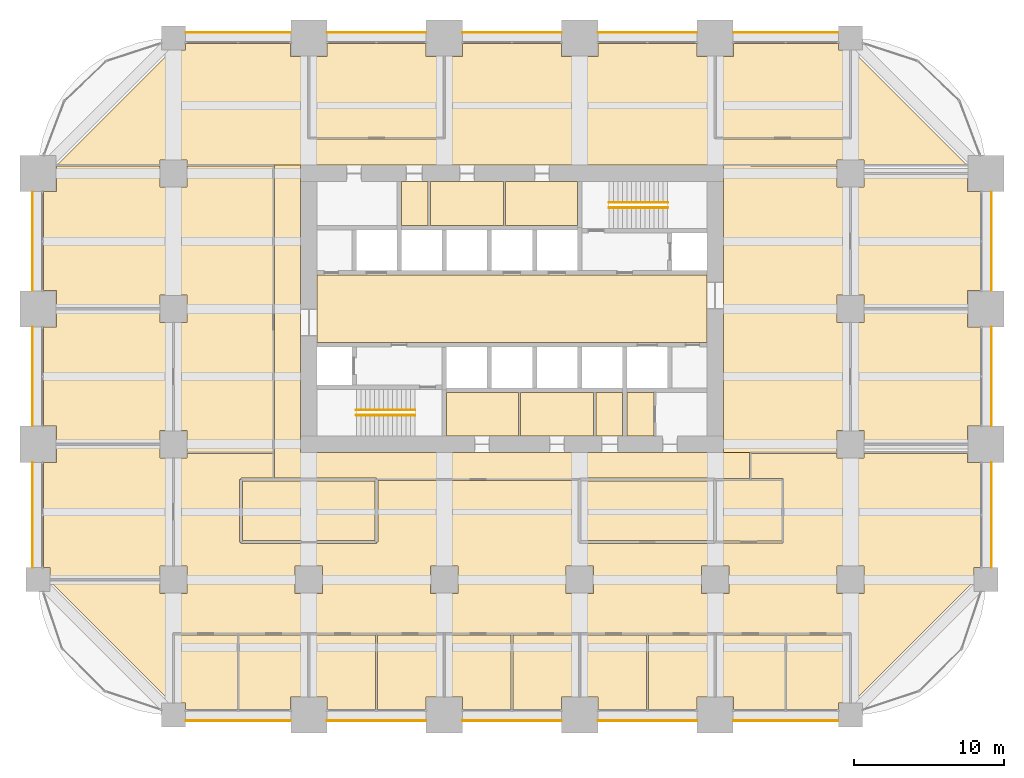
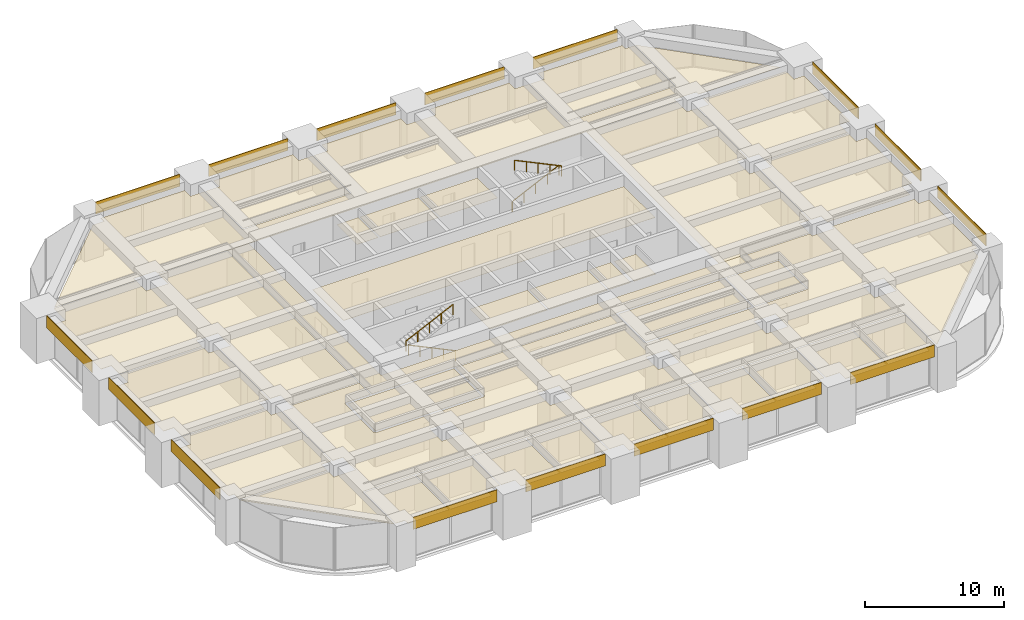
# One storey, part 40 of 40: 48 coverings, 4 railings.
"""IFC4 building model written with IfcOpenShell, lengths in metres."""

import ifcopenshell
import ifcopenshell.guid

model = None  # the IFC model being written
_history = None  # IfcOwnerHistory: only IFC2X3 demands one
_inside = {}  # id of a spatial element -> (the spatial element, [elements in it])
_under = {}  # id of a project, library or spatial element -> (it, [spatial elements below it])
_declared = {}  # id of a project -> (the project, [libraries it declares])
_typed = {}  # id of a type object -> (the type object, [elements of that type])
_made_of = {}  # id of a material, layer set ... -> (it, [elements and type objects made of it])


def new_model(schema):
    """Start an empty IFC model of exactly this schema.

    Asked for "IFC4X3", IfcOpenShell would pick the latest addendum, in which some entities
    have other attributes; the version numbers below select the first issue.
    IFC2X3 requires an IfcOwnerHistory on every rooted entity: one is made here for all.
    """
    global model, _history
    if schema == "IFC4X3":
        model = ifcopenshell.file(schema_version=(4, 3, 0, 0))
    else:
        model = ifcopenshell.file(schema=schema)
    _inside.clear()
    _under.clear()
    _declared.clear()
    _typed.clear()
    _made_of.clear()
    _history = None
    if model.schema == "IFC2X3":
        org = make("IfcOrganization", Name="unknown")
        user = make(
            "IfcPersonAndOrganization",
            ThePerson=make("IfcPerson", FamilyName="unknown"),
            TheOrganization=org,
        )
        app = make(
            "IfcApplication",
            ApplicationDeveloper=org,
            Version="unknown",
            ApplicationFullName="unknown",
            ApplicationIdentifier="unknown",
        )
        _history = make(
            "IfcOwnerHistory",
            OwningUser=user,
            OwningApplication=app,
            ChangeAction="ADDED",
            CreationDate=0,
        )
    return model


def make(cls, **values):
    """One entity of the class cls with the attributes given. An attribute that is None is left unset."""
    return model.create_entity(
        cls, **{name: value for name, value in values.items() if value is not None}
    )


def rooted(cls, **values):
    """An entity with a GlobalId (a new one), such as an element, a storey or a relation."""
    return make(cls, GlobalId=ifcopenshell.guid.new(), OwnerHistory=_history, **values)


def si_unit(unit_type, name, prefix=None):
    """IfcSIUnit, for example si_unit("LENGTHUNIT", "METRE", prefix="MILLI")."""
    return make("IfcSIUnit", UnitType=unit_type, Prefix=prefix, Name=name)


def assignment(units):
    """IfcUnitAssignment: the units of a project."""
    return None if units is None else make("IfcUnitAssignment", Units=units)


def point(xyz):
    """IfcCartesianPoint."""
    return None if xyz is None else make("IfcCartesianPoint", Coordinates=xyz)


def direction(xyz):
    """IfcDirection."""
    return None if xyz is None else make("IfcDirection", DirectionRatios=xyz)


def frame(location, z_axis=None, x_axis=None):
    """IfcAxis2Placement3D, a coordinate frame: its origin and axes. An axis left out is left unset."""
    return make(
        "IfcAxis2Placement3D",
        Location=point(location),
        Axis=direction(z_axis),
        RefDirection=direction(x_axis),
    )


def frame_2d(location, x_axis=None):
    """IfcAxis2Placement2D, a coordinate frame in the plane: its origin and x axis."""
    return make(
        "IfcAxis2Placement2D", Location=point(location), RefDirection=direction(x_axis)
    )


def origin():
    """The frame at (0, 0, 0) with its axes left unset."""
    return frame((0.0, 0.0, 0.0))


def origin_2d():
    """The frame at (0, 0) in the plane with its x axis left unset."""
    return frame_2d((0.0, 0.0))


def place(relative_to, where):
    """IfcLocalPlacement: puts the frame where relative to a parent placement (None: the world)."""
    return make(
        "IfcLocalPlacement", PlacementRelTo=relative_to, RelativePlacement=where
    )


def context(
    kind, dimensions, precision=None, world=None, true_north=None, identifier=None
):
    """IfcGeometricRepresentationContext, for example the 3D "Model" context."""
    return make(
        "IfcGeometricRepresentationContext",
        ContextIdentifier=identifier,
        ContextType=kind,
        CoordinateSpaceDimension=dimensions,
        Precision=precision,
        WorldCoordinateSystem=world,
        TrueNorth=true_north,
    )


def subcontext(parent, identifier, kind, view, scale=None):
    """IfcGeometricRepresentationSubContext, for example "Body" below "Model"."""
    return make(
        "IfcGeometricRepresentationSubContext",
        ContextIdentifier=identifier,
        ContextType=kind,
        ParentContext=parent,
        TargetScale=scale,
        TargetView=view,
    )


def project(units=None, contexts=None):
    """IfcProject with its units and contexts."""
    return rooted(
        "IfcProject",
        Name="project",
        RepresentationContexts=contexts,
        UnitsInContext=assignment(units),
    )


def spatial(cls, under=None, at=None, **own):
    """A site, building, storey or space (cls), placed at a placement, below another one or the project."""
    s = rooted(cls, ObjectPlacement=at, **own)
    if under is not None:
        _under.setdefault(under.id(), (under, []))[1].append(s)
    return s


def polyline(points):
    """IfcPolyline through the points."""
    return make("IfcPolyline", Points=[point(p) for p in points])


def profile(cls, at=None, kind="AREA", **sizes):
    """A parametric profile (cls). Its sizes go by their IFC names, for example OverallWidth=200.0."""
    return make(cls, ProfileType=kind, Position=at, **sizes)


def rectangle(**sizes):
    """IfcRectangleProfileDef."""
    return profile("IfcRectangleProfileDef", **sizes)


def circle(**sizes):
    """IfcCircleProfileDef."""
    return profile("IfcCircleProfileDef", **sizes)


def outline(outer, holes=None, kind="AREA"):
    """IfcArbitraryClosedProfileDef: a profile drawn as a closed curve; with holes, ...WithVoids."""
    if holes is None:
        return make("IfcArbitraryClosedProfileDef", ProfileType=kind, OuterCurve=outer)
    return make(
        "IfcArbitraryProfileDefWithVoids",
        ProfileType=kind,
        OuterCurve=outer,
        InnerCurves=holes,
    )


def extrude(swept, where, along, depth):
    """IfcExtrudedAreaSolid: the profile swept, set in the frame where, extruded along a direction by depth."""
    return make(
        "IfcExtrudedAreaSolid",
        SweptArea=swept,
        Position=where,
        ExtrudedDirection=direction(along),
        Depth=depth,
    )


def shape(context_of_items, identifier, shape_type, items):
    """IfcShapeRepresentation: the items that make up one representation, for example the "Body"."""
    return make(
        "IfcShapeRepresentation",
        ContextOfItems=context_of_items,
        RepresentationIdentifier=identifier,
        RepresentationType=shape_type,
        Items=items,
    )


def material(Name=None, Category=None):
    """IfcMaterial."""
    return make("IfcMaterial", Name=Name, Category=Category)


def layer(
    of_material, thickness, ventilated=None, Name=None, Category=None, Priority=None
):
    """IfcMaterialLayer: one layer of a wall or slab, of a material (None: an air gap)."""
    return make(
        "IfcMaterialLayer",
        Material=of_material,
        LayerThickness=thickness,
        IsVentilated=ventilated,
        Name=Name,
        Category=Category,
        Priority=Priority,
    )


def layer_set(layers, Name=None):
    """IfcMaterialLayerSet."""
    return make("IfcMaterialLayerSet", MaterialLayers=layers, LayerSetName=Name)


def made_of(thing, what):
    """Note that an element or type object is made of a material, layer set ...; save() writes the relation."""
    if what is not None:
        _made_of.setdefault(what.id(), (what, []))[1].append(thing)
    return thing


def type_object(cls, material=None, **own):
    """A type object (cls), such as IfcWallType, which elements share."""
    return made_of(rooted(cls, **own), material)


def element(
    cls,
    number,
    at=None,
    inside=None,
    cuts=None,
    type_object=None,
    material=None,
    context=None,
    identifier="Body",
    shape_type=None,
    held_by="IfcProductDefinitionShape",
    body=None,
    shapes=None,
    **own,
):
    """One element of the class cls, such as IfcWall. Its Tag is "e" and its number.

    at: its placement. inside: the storey or other place that contains it. cuts: it is an
    opening in that element (IfcRelVoidsElement). A single representation is given by context,
    identifier, shape_type and body (its items); several are given by shapes. held_by: the class
    of the entity that holds the representations. save() writes the other relations.
    """
    e = rooted(cls, Tag="e%d" % number, ObjectPlacement=at, **own)
    if body is not None:
        shapes = [shape(context, identifier, shape_type, body)]
    if shapes is not None:
        e.Representation = make(held_by, Representations=shapes)
    if inside is not None:
        _inside.setdefault(inside.id(), (inside, []))[1].append(e)
    if cuts is not None:
        rooted(
            "IfcRelVoidsElement", RelatingBuildingElement=cuts, RelatedOpeningElement=e
        )
    if type_object is not None:
        _typed.setdefault(type_object.id(), (type_object, []))[1].append(e)
    return made_of(e, material)


def aggregate(whole, parts):
    """IfcRelAggregates: a whole, such as a stair, and the parts it consists of."""
    return rooted("IfcRelAggregates", RelatingObject=whole, RelatedObjects=parts)


def save(model, path):
    """Write the relations noted so far, then the file.

    IfcRelAggregates (storeys below a building ...), IfcRelContainedInSpatialStructure (elements
    in a storey), IfcRelDefinesByType, IfcRelAssociatesMaterial and IfcRelDeclares: one each for
    every whole, place, type object, material and project.
    """
    for whole, parts in _under.values():
        aggregate(whole, parts)
    for where, things in _inside.values():
        rooted(
            "IfcRelContainedInSpatialStructure",
            RelatedElements=things,
            RelatingStructure=where,
        )
    for kind, things in _typed.values():
        rooted("IfcRelDefinesByType", RelatedObjects=things, RelatingType=kind)
    for what, things in _made_of.values():
        rooted("IfcRelAssociatesMaterial", RelatedObjects=things, RelatingMaterial=what)
    for by, libraries in _declared.values():
        rooted("IfcRelDeclares", RelatingContext=by, RelatedDefinitions=libraries)
    model.write(path)


model = new_model("IFC4")

# Units and contexts
model_context = context("Model", 3, precision=1e-05, world=origin(), true_north=direction((0.0, 1.0)))
body_context = subcontext(model_context, "Body", "Model", "MODEL_VIEW")
ifc_project = project(units=[si_unit("LENGTHUNIT", "METRE"), si_unit("AREAUNIT", "SQUARE_METRE"), si_unit("VOLUMEUNIT", "CUBIC_METRE"), si_unit("PLANEANGLEUNIT", "RADIAN"), si_unit("MASSUNIT", "GRAM", prefix="KILO")], contexts=[model_context])

# Site, building, storey
site_placement = place(None, origin())
site = spatial("IfcSite", under=ifc_project, at=site_placement, CompositionType="ELEMENT")
building_placement = place(site_placement, origin())
building = spatial("IfcBuilding", under=site, at=building_placement, Name="Zorevar Civic Tower", CompositionType="ELEMENT")
storey_placement = place(building_placement, frame((0.0, 0.0, 129.0)))
storey = spatial("IfcBuildingStorey", under=building, at=storey_placement, Name="L31", CompositionType="ELEMENT", Elevation=129.0)

# Railings
ifc_material_1 = material(Name="Black steel handrail", Category="steel")
railing_type = type_object("IfcRailingType", Name="Handrail HR1 900", PredefinedType="HANDRAIL", material=ifc_material_1)
railing_1_placement = place(storey_placement, frame((25.050048828125, 19.925048828125, 0.142822265625)))
element("IfcRailing", 1, at=railing_1_placement, inside=storey, type_object=railing_type, Name="Handrail HR1 ST1 L31", PredefinedType="HANDRAIL", context=body_context, shape_type="SweptSolid", body=[
    extrude(circle(Radius=0.02392578125, at=origin_2d()), frame((0.0, 0.0, 0.8759765625), z_axis=(-0.902863652845, 0.0, 0.429926998885), x_axis=(0.0, -1.0, 0.0)), (0.0, 0.0, 1.0), 4.31982421875),
    extrude(circle(Radius=0.02099609375, at=origin_2d()), origin(), (0.0, 0.0, 1.0), 0.851806640625),
    extrude(circle(Radius=0.02099609375, at=origin_2d()), frame((-0.97509765625, 0.0, 0.46435546875)), (0.0, 0.0, 1.0), 0.851806640625),
    extrude(circle(Radius=0.02099609375, at=origin_2d()), frame((-1.9501953125, 0.0, 0.9287109375)), (0.0, 0.0, 1.0), 0.851806640625),
    extrude(circle(Radius=0.02099609375, at=origin_2d()), frame((-2.925048828125, 0.0, 1.392822265625)), (0.0, 0.0, 1.0), 0.851806640625),
    extrude(circle(Radius=0.02099609375, at=origin_2d()), frame((-3.900146484375, 0.0, 1.857177734375)), (0.0, 0.0, 1.0), 0.851806640625),
])
for number, where, name in (
    (2, (21.14990234375, 20.27490234375, 2.142822265625), "Handrail HR1 ST1 L31"),
    (3, (37.949951171875, 34.074951171875, 0.142822265625), "Handrail HR1 ST2 L31"),
):
    element("IfcRailing", number, at=place(storey_placement, frame(where)), inside=storey, type_object=railing_type, Name=name, PredefinedType="HANDRAIL", context=body_context, shape_type="SweptSolid", body=[
        extrude(circle(Radius=0.02392578125, at=origin_2d()), frame((0.0, 0.0, 0.8759765625), z_axis=(0.902863652845, 0.0, 0.429926998885), x_axis=(0.0, 1.0, 0.0)), (0.0, 0.0, 1.0), 4.31982421875),
        extrude(circle(Radius=0.02099609375, at=origin_2d()), origin(), (0.0, 0.0, 1.0), 0.851806640625),
        extrude(circle(Radius=0.02099609375, at=origin_2d()), frame((0.97509765625, 0.0, 0.46435546875)), (0.0, 0.0, 1.0), 0.851806640625),
        extrude(circle(Radius=0.02099609375, at=origin_2d()), frame((1.9501953125, 0.0, 0.9287109375)), (0.0, 0.0, 1.0), 0.851806640625),
        extrude(circle(Radius=0.02099609375, at=origin_2d()), frame((2.925048828125, 0.0, 1.392822265625)), (0.0, 0.0, 1.0), 0.851806640625),
        extrude(circle(Radius=0.02099609375, at=origin_2d()), frame((3.900146484375, 0.0, 1.857177734375)), (0.0, 0.0, 1.0), 0.851806640625),
    ])
railing_2_placement = place(storey_placement, frame((41.85009765625, 33.72509765625, 2.142822265625)))
element("IfcRailing", 4, at=railing_2_placement, inside=storey, type_object=railing_type, Name="Handrail HR1 ST2 L31", PredefinedType="HANDRAIL", context=body_context, shape_type="SweptSolid", body=[
    extrude(circle(Radius=0.02392578125, at=origin_2d()), frame((0.0, 0.0, 0.8759765625), z_axis=(-0.902863652845, 0.0, 0.429926998885), x_axis=(0.0, -1.0, 0.0)), (0.0, 0.0, 1.0), 4.31982421875),
    extrude(circle(Radius=0.02099609375, at=origin_2d()), origin(), (0.0, 0.0, 1.0), 0.851806640625),
    extrude(circle(Radius=0.02099609375, at=origin_2d()), frame((-0.97509765625, 0.0, 0.46435546875)), (0.0, 0.0, 1.0), 0.851806640625),
    extrude(circle(Radius=0.02099609375, at=origin_2d()), frame((-1.9501953125, 0.0, 0.9287109375)), (0.0, 0.0, 1.0), 0.851806640625),
    extrude(circle(Radius=0.02099609375, at=origin_2d()), frame((-2.925048828125, 0.0, 1.392822265625)), (0.0, 0.0, 1.0), 0.851806640625),
    extrude(circle(Radius=0.02099609375, at=origin_2d()), frame((-3.900146484375, 0.0, 1.857177734375)), (0.0, 0.0, 1.0), 0.851806640625),
])

# Coverings
ifc_material_2 = material(Name="Moisture-resistant gypsum board")
ifc_layer_1 = layer(ifc_material_2, 0.012451171875)
ifc_layer_set_1 = layer_set([ifc_layer_1], Name="Moisture-resistant ceiling SC3")
covering_type_1 = type_object("IfcCoveringType", Name="Moisture-resistant ceiling SC3", PredefinedType="CEILING", material=ifc_layer_set_1)
covering_1_placement = place(storey_placement, frame((0.0, 0.0, 3.0)))
element("IfcCovering", 5, at=covering_1_placement, inside=storey, type_object=covering_type_1, Name="Ceiling L31-05", PredefinedType="CEILING", context=body_context, shape_type="SweptSolid", body=[
    extrude(outline(polyline([(31.925048828125, 18.550048828125), (31.925048828125, 21.449951171875), (27.14990234375, 21.449951171875), (27.14990234375, 18.550048828125), (31.925048828125, 18.550048828125)])), origin(), (0.0, 0.0, 1.0), 0.012451171875),
])
covering_2_placement = place(storey_placement, frame((0.0, 0.0, 3.0)))
element("IfcCovering", 6, at=covering_2_placement, inside=storey, type_object=covering_type_1, Name="Ceiling L31-06", PredefinedType="CEILING", context=body_context, shape_type="SweptSolid", body=[
    extrude(outline(polyline([(36.925048828125, 18.550048828125), (36.925048828125, 21.449951171875), (32.074951171875, 21.449951171875), (32.074951171875, 18.550048828125), (36.925048828125, 18.550048828125)])), origin(), (0.0, 0.0, 1.0), 0.012451171875),
])
covering_3_placement = place(storey_placement, frame((0.0, 0.0, 3.0)))
element("IfcCovering", 7, at=covering_3_placement, inside=storey, type_object=covering_type_1, Name="Ceiling L31-07", PredefinedType="CEILING", context=body_context, shape_type="SweptSolid", body=[
    extrude(outline(polyline([(38.85009765625, 18.550048828125), (38.85009765625, 21.449951171875), (37.074951171875, 21.449951171875), (37.074951171875, 18.550048828125), (38.85009765625, 18.550048828125)])), origin(), (0.0, 0.0, 1.0), 0.012451171875),
])
covering_4_placement = place(storey_placement, frame((0.0, 0.0, 3.0)))
element("IfcCovering", 8, at=covering_4_placement, inside=storey, type_object=covering_type_1, Name="Ceiling L31-08", PredefinedType="CEILING", context=body_context, shape_type="SweptSolid", body=[
    extrude(outline(polyline([(35.85009765625, 32.550048828125), (35.85009765625, 35.449951171875), (31.074951171875, 35.449951171875), (31.074951171875, 32.550048828125), (35.85009765625, 32.550048828125)])), origin(), (0.0, 0.0, 1.0), 0.012451171875),
])
covering_5_placement = place(storey_placement, frame((0.0, 0.0, 3.0)))
element("IfcCovering", 9, at=covering_5_placement, inside=storey, type_object=covering_type_1, Name="Ceiling L31-09", PredefinedType="CEILING", context=body_context, shape_type="SweptSolid", body=[
    extrude(outline(polyline([(30.925048828125, 32.550048828125), (30.925048828125, 35.449951171875), (26.074951171875, 35.449951171875), (26.074951171875, 32.550048828125), (30.925048828125, 32.550048828125)])), origin(), (0.0, 0.0, 1.0), 0.012451171875),
])
covering_6_placement = place(storey_placement, frame((0.0, 0.0, 3.0)))
element("IfcCovering", 10, at=covering_6_placement, inside=storey, type_object=covering_type_1, Name="Ceiling L31-10", PredefinedType="CEILING", context=body_context, shape_type="SweptSolid", body=[
    extrude(outline(polyline([(25.925048828125, 32.550048828125), (25.925048828125, 35.449951171875), (24.14990234375, 35.449951171875), (24.14990234375, 32.550048828125), (25.925048828125, 32.550048828125)])), origin(), (0.0, 0.0, 1.0), 0.012451171875),
])
ifc_material_3 = material(Name="Black anodised aluminium spandrel panel", Category="aluminium")
ifc_layer_2 = layer(ifc_material_3, 0.050048828125)
ifc_layer_set_2 = layer_set([ifc_layer_2], Name="Spandrel cladding SP1")
covering_type_2 = type_object("IfcCoveringType", Name="Spandrel cladding SP1", PredefinedType="CLADDING", material=ifc_layer_set_2)
covering_7_placement = place(storey_placement, frame((9.800048828125, -0.375, 2.949951171875), z_axis=(0.0, 0.0, 1.0), x_axis=(1.0, 0.0, 0.0)))
element("IfcCovering", 11, at=covering_7_placement, inside=storey, type_object=covering_type_2, Name="Spandrel cladding L32", PredefinedType="CLADDING", context=body_context, shape_type="SweptSolid", body=[
    extrude(rectangle(XDim=7.0, YDim=0.050048828125, at=frame_2d((3.5, 0.0))), origin(), (0.0, 0.0, 1.0), 1.050048828125),
])
for number, where, z_axis, x_axis, name in (
    (12, (19.199951171875, -0.375, 2.949951171875), (0.0, 0.0, 1.0), (1.0, 0.0, 0.0), "Spandrel cladding L32"),
    (13, (28.199951171875, -0.375, 2.949951171875), (0.0, 0.0, 1.0), (1.0, 0.0, 0.0), "Spandrel cladding L32"),
    (14, (37.199951171875, -0.375, 2.949951171875), (0.0, 0.0, 1.0), (1.0, 0.0, 0.0), "Spandrel cladding L32"),
):
    element("IfcCovering", number, at=place(storey_placement, frame(where, z_axis=z_axis, x_axis=x_axis)), inside=storey, type_object=covering_type_2, Name=name, PredefinedType="CLADDING", context=body_context, shape_type="SweptSolid", body=[
        extrude(rectangle(XDim=6.60009765625, YDim=0.050048828125, at=frame_2d((3.300048828125, 0.0))), origin(), (0.0, 0.0, 1.0), 1.050048828125),
    ])
for number, where, z_axis, x_axis, name in (
    (15, (46.199951171875, -0.375, 2.949951171875), (0.0, 0.0, 1.0), (1.0, 0.0, 0.0), "Spandrel cladding L32"),
    (16, (9.800048828125, 45.375, 2.949951171875), (0.0, 0.0, 1.0), (1.0, 0.0, 0.0), "Spandrel cladding L32"),
):
    element("IfcCovering", number, at=place(storey_placement, frame(where, z_axis=z_axis, x_axis=x_axis)), inside=storey, type_object=covering_type_2, Name=name, PredefinedType="CLADDING", context=body_context, shape_type="SweptSolid", body=[
        extrude(rectangle(XDim=7.0, YDim=0.050048828125, at=frame_2d((3.5, 0.0))), origin(), (0.0, 0.0, 1.0), 1.050048828125),
    ])
for number, where, z_axis, x_axis, name in (
    (17, (19.199951171875, 45.375, 2.949951171875), (0.0, 0.0, 1.0), (1.0, 0.0, 0.0), "Spandrel cladding L32"),
    (18, (28.199951171875, 45.375, 2.949951171875), (0.0, 0.0, 1.0), (1.0, 0.0, 0.0), "Spandrel cladding L32"),
    (19, (37.199951171875, 45.375, 2.949951171875), (0.0, 0.0, 1.0), (1.0, 0.0, 0.0), "Spandrel cladding L32"),
):
    element("IfcCovering", number, at=place(storey_placement, frame(where, z_axis=z_axis, x_axis=x_axis)), inside=storey, type_object=covering_type_2, Name=name, PredefinedType="CLADDING", context=body_context, shape_type="SweptSolid", body=[
        extrude(rectangle(XDim=6.60009765625, YDim=0.050048828125, at=frame_2d((3.300048828125, 0.0))), origin(), (0.0, 0.0, 1.0), 1.050048828125),
    ])
for number, where, z_axis, x_axis, name in (
    (20, (46.199951171875, 45.375, 2.949951171875), (0.0, 0.0, 1.0), (1.0, 0.0, 0.0), "Spandrel cladding L32"),
    (21, (-0.375, 9.800048828125, 2.949951171875), (0.0, 0.0, 1.0), (0.0, 1.0, 0.0), "Spandrel cladding L32"),
):
    element("IfcCovering", number, at=place(storey_placement, frame(where, z_axis=z_axis, x_axis=x_axis)), inside=storey, type_object=covering_type_2, Name=name, PredefinedType="CLADDING", context=body_context, shape_type="SweptSolid", body=[
        extrude(rectangle(XDim=7.0, YDim=0.050048828125, at=frame_2d((3.5, 0.0))), origin(), (0.0, 0.0, 1.0), 1.050048828125),
    ])
for number, where, z_axis, x_axis, name in (
    (22, (-0.375, 19.199951171875, 2.949951171875), (0.0, 0.0, 1.0), (0.0, 1.0, 0.0), "Spandrel cladding L32"),
    (23, (-0.375, 28.199951171875, 2.949951171875), (0.0, 0.0, 1.0), (0.0, 1.0, 0.0), "Spandrel cladding L32"),
):
    element("IfcCovering", number, at=place(storey_placement, frame(where, z_axis=z_axis, x_axis=x_axis)), inside=storey, type_object=covering_type_2, Name=name, PredefinedType="CLADDING", context=body_context, shape_type="SweptSolid", body=[
        extrude(rectangle(XDim=6.60009765625, YDim=0.050048828125, at=frame_2d((3.300048828125, 0.0))), origin(), (0.0, 0.0, 1.0), 1.050048828125),
    ])
covering_8_placement = place(storey_placement, frame((63.375, 9.800048828125, 2.949951171875), z_axis=(0.0, 0.0, 1.0), x_axis=(0.0, 1.0, 0.0)))
element("IfcCovering", 24, at=covering_8_placement, inside=storey, type_object=covering_type_2, Name="Spandrel cladding L32", PredefinedType="CLADDING", context=body_context, shape_type="SweptSolid", body=[
    extrude(rectangle(XDim=7.0, YDim=0.050048828125, at=frame_2d((3.5, 0.0))), origin(), (0.0, 0.0, 1.0), 1.050048828125),
])
for number, where, z_axis, x_axis, name in (
    (25, (63.375, 19.199951171875, 2.949951171875), (0.0, 0.0, 1.0), (0.0, 1.0, 0.0), "Spandrel cladding L32"),
    (26, (63.375, 28.199951171875, 2.949951171875), (0.0, 0.0, 1.0), (0.0, 1.0, 0.0), "Spandrel cladding L32"),
):
    element("IfcCovering", number, at=place(storey_placement, frame(where, z_axis=z_axis, x_axis=x_axis)), inside=storey, type_object=covering_type_2, Name=name, PredefinedType="CLADDING", context=body_context, shape_type="SweptSolid", body=[
        extrude(rectangle(XDim=6.60009765625, YDim=0.050048828125, at=frame_2d((3.300048828125, 0.0))), origin(), (0.0, 0.0, 1.0), 1.050048828125),
    ])
ifc_material_4 = material(Name="Mineral fibre tiles on a concealed grid")
ifc_layer_3 = layer(ifc_material_4, 0.02001953125)
ifc_layer_set_3 = layer_set([ifc_layer_3], Name="Suspended ceiling SC1")
covering_type_3 = type_object("IfcCoveringType", Name="Suspended ceiling SC1", PredefinedType="CEILING", material=ifc_layer_set_3)
covering_9_placement = place(storey_placement, frame((0.0, 0.0, 3.0)))
element("IfcCovering", 27, at=covering_9_placement, inside=storey, type_object=covering_type_3, Name="Ceiling L31-11", PredefinedType="CEILING", context=body_context, shape_type="SweptSolid", body=[
    extrude(outline(polyline([(40.93994140625, 18.550048828125), (40.93994140625, 21.449951171875), (39.14990234375, 21.449951171875), (39.14990234375, 18.550048828125), (40.93994140625, 18.550048828125)])), origin(), (0.0, 0.0, 1.0), 0.02001953125),
])
covering_10_placement = place(storey_placement, frame((0.0, 0.0, 3.0)))
element("IfcCovering", 28, at=covering_10_placement, inside=storey, type_object=covering_type_3, Name="Ceiling L31-16", PredefinedType="CEILING", context=body_context, shape_type="SweptSolid", body=[
    extrude(outline(polyline([(44.449951171875, 24.75), (44.449951171875, 29.25), (18.550048828125, 29.25), (18.550048828125, 24.75), (44.449951171875, 24.75)])), origin(), (0.0, 0.0, 1.0), 0.02001953125),
])
covering_11_placement = place(storey_placement, frame((0.0, 0.0, 3.0)))
element("IfcCovering", 29, at=covering_11_placement, inside=storey, type_object=covering_type_3, Name="Ceiling L31-17", PredefinedType="CEILING", context=body_context, shape_type="SweptSolid", body=[
    extrude(outline(polyline([(13.239990234375, 5.340087890625), (13.239990234375, 0.35009765625), (9.81005859375, 0.35009765625), (9.81005859375, 0.81005859375), (9.06005859375, 0.81005859375), (9.06005859375, 5.340087890625), (13.239990234375, 5.340087890625)])), origin(), (0.0, 0.0, 1.0), 0.02001953125),
])
covering_12_placement = place(storey_placement, frame((0.0, 0.0, 3.0)))
element("IfcCovering", 30, at=covering_12_placement, inside=storey, type_object=covering_type_3, Name="Ceiling L31-18", PredefinedType="CEILING", context=body_context, shape_type="SweptSolid", body=[
    extrude(outline(polyline([(17.93994140625, 5.340087890625), (17.93994140625, 1.2099609375), (16.7900390625, 1.2099609375), (16.7900390625, 0.35009765625), (13.360107421875, 0.35009765625), (13.360107421875, 5.340087890625), (17.93994140625, 5.340087890625)])), origin(), (0.0, 0.0, 1.0), 0.02001953125),
])
covering_13_placement = place(storey_placement, frame((0.0, 0.0, 3.0)))
element("IfcCovering", 31, at=covering_13_placement, inside=storey, type_object=covering_type_3, Name="Ceiling L31-19", PredefinedType="CEILING", context=body_context, shape_type="SweptSolid", body=[
    extrude(outline(polyline([(22.43994140625, 5.340087890625), (22.43994140625, 0.35009765625), (19.2099609375, 0.35009765625), (19.2099609375, 1.2099609375), (18.06005859375, 1.2099609375), (18.06005859375, 5.340087890625), (22.43994140625, 5.340087890625)])), origin(), (0.0, 0.0, 1.0), 0.02001953125),
])
covering_14_placement = place(storey_placement, frame((0.0, 0.0, 3.0)))
element("IfcCovering", 32, at=covering_14_placement, inside=storey, type_object=covering_type_3, Name="Ceiling L31-20", PredefinedType="CEILING", context=body_context, shape_type="SweptSolid", body=[
    extrude(outline(polyline([(26.93994140625, 5.340087890625), (26.93994140625, 1.2099609375), (25.7900390625, 1.2099609375), (25.7900390625, 0.35009765625), (22.56005859375, 0.35009765625), (22.56005859375, 5.340087890625), (26.93994140625, 5.340087890625)])), origin(), (0.0, 0.0, 1.0), 0.02001953125),
])
covering_15_placement = place(storey_placement, frame((0.0, 0.0, 3.0)))
element("IfcCovering", 33, at=covering_15_placement, inside=storey, type_object=covering_type_3, Name="Ceiling L31-21", PredefinedType="CEILING", context=body_context, shape_type="SweptSolid", body=[
    extrude(outline(polyline([(31.43994140625, 5.340087890625), (31.43994140625, 0.35009765625), (28.2099609375, 0.35009765625), (28.2099609375, 1.2099609375), (27.06005859375, 1.2099609375), (27.06005859375, 5.340087890625), (31.43994140625, 5.340087890625)])), origin(), (0.0, 0.0, 1.0), 0.02001953125),
])
covering_16_placement = place(storey_placement, frame((0.0, 0.0, 3.0)))
element("IfcCovering", 34, at=covering_16_placement, inside=storey, type_object=covering_type_3, Name="Ceiling L31-22", PredefinedType="CEILING", context=body_context, shape_type="SweptSolid", body=[
    extrude(outline(polyline([(35.93994140625, 5.340087890625), (35.93994140625, 1.2099609375), (34.7900390625, 1.2099609375), (34.7900390625, 0.35009765625), (31.56005859375, 0.35009765625), (31.56005859375, 5.340087890625), (35.93994140625, 5.340087890625)])), origin(), (0.0, 0.0, 1.0), 0.02001953125),
])
covering_17_placement = place(storey_placement, frame((0.0, 0.0, 3.0)))
element("IfcCovering", 35, at=covering_17_placement, inside=storey, type_object=covering_type_3, Name="Ceiling L31-23", PredefinedType="CEILING", context=body_context, shape_type="SweptSolid", body=[
    extrude(outline(polyline([(40.43994140625, 5.340087890625), (40.43994140625, 0.35009765625), (37.2099609375, 0.35009765625), (37.2099609375, 1.2099609375), (36.06005859375, 1.2099609375), (36.06005859375, 5.340087890625), (40.43994140625, 5.340087890625)])), origin(), (0.0, 0.0, 1.0), 0.02001953125),
])
covering_18_placement = place(storey_placement, frame((0.0, 0.0, 3.0)))
element("IfcCovering", 36, at=covering_18_placement, inside=storey, type_object=covering_type_3, Name="Ceiling L31-24", PredefinedType="CEILING", context=body_context, shape_type="SweptSolid", body=[
    extrude(outline(polyline([(44.93994140625, 5.340087890625), (44.93994140625, 1.2099609375), (43.7900390625, 1.2099609375), (43.7900390625, 0.35009765625), (40.56005859375, 0.35009765625), (40.56005859375, 5.340087890625), (44.93994140625, 5.340087890625)])), origin(), (0.0, 0.0, 1.0), 0.02001953125),
])
covering_19_placement = place(storey_placement, frame((0.0, 0.0, 3.0)))
element("IfcCovering", 37, at=covering_19_placement, inside=storey, type_object=covering_type_3, Name="Ceiling L31-25", PredefinedType="CEILING", context=body_context, shape_type="SweptSolid", body=[
    extrude(outline(polyline([(49.639892578125, 5.340087890625), (49.639892578125, 0.35009765625), (46.2099609375, 0.35009765625), (46.2099609375, 1.2099609375), (45.06005859375, 1.2099609375), (45.06005859375, 5.340087890625), (49.639892578125, 5.340087890625)])), origin(), (0.0, 0.0, 1.0), 0.02001953125),
])
covering_20_placement = place(storey_placement, frame((0.0, 0.0, 3.0)))
element("IfcCovering", 38, at=covering_20_placement, inside=storey, type_object=covering_type_3, Name="Ceiling L31-26", PredefinedType="CEILING", context=body_context, shape_type="SweptSolid", body=[
    extrude(outline(polyline([(53.93994140625, 5.340087890625), (53.93994140625, 0.81005859375), (53.18994140625, 0.81005859375), (53.18994140625, 0.35009765625), (49.760009765625, 0.35009765625), (49.760009765625, 5.340087890625), (53.93994140625, 5.340087890625)])), origin(), (0.0, 0.0, 1.0), 0.02001953125),
])
covering_21_placement = place(storey_placement, frame((0.0, 0.0, 3.0)))
element("IfcCovering", 39, at=covering_21_placement, inside=storey, type_object=covering_type_3, Name="Ceiling L31-27", PredefinedType="CEILING", context=body_context, shape_type="SweptSolid", body=[
    extrude(outline(polyline([(8.93994140625, 9.909912109375), (8.090087890625, 9.909912109375), (8.090087890625, 9.06005859375), (0.81005859375, 9.06005859375), (0.81005859375, 9.81005859375), (0.35009765625, 9.81005859375), (0.35009765625, 16.7900390625), (1.2099609375, 16.7900390625), (1.2099609375, 17.93994140625), (8.090087890625, 17.93994140625), (8.090087890625, 17.090087890625), (8.93994140625, 17.090087890625), (8.93994140625, 9.909912109375)])), origin(), (0.0, 0.0, 1.0), 0.02001953125),
])
covering_22_placement = place(storey_placement, frame((0.0, 0.0, 3.0)))
element("IfcCovering", 40, at=covering_22_placement, inside=storey, type_object=covering_type_3, Name="Ceiling L31-28", PredefinedType="CEILING", context=body_context, shape_type="SweptSolid", body=[
    extrude(outline(polyline([(8.93994140625, 18.909912109375), (8.090087890625, 18.909912109375), (8.090087890625, 18.06005859375), (1.2099609375, 18.06005859375), (1.2099609375, 19.2099609375), (0.35009765625, 19.2099609375), (0.35009765625, 25.7900390625), (1.2099609375, 25.7900390625), (1.2099609375, 26.93994140625), (8.090087890625, 26.93994140625), (8.090087890625, 26.090087890625), (8.93994140625, 26.090087890625), (8.93994140625, 18.909912109375)])), origin(), (0.0, 0.0, 1.0), 0.02001953125),
])
covering_23_placement = place(storey_placement, frame((0.0, 0.0, 3.0)))
element("IfcCovering", 41, at=covering_23_placement, inside=storey, type_object=covering_type_3, Name="Ceiling L31-29", PredefinedType="CEILING", context=body_context, shape_type="SweptSolid", body=[
    extrude(outline(polyline([(62.64990234375, 19.2099609375), (61.7900390625, 19.2099609375), (61.7900390625, 18.06005859375), (54.909912109375, 18.06005859375), (54.909912109375, 18.909912109375), (54.06005859375, 18.909912109375), (54.06005859375, 26.090087890625), (54.909912109375, 26.090087890625), (54.909912109375, 26.93994140625), (61.7900390625, 26.93994140625), (61.7900390625, 25.7900390625), (62.64990234375, 25.7900390625), (62.64990234375, 19.2099609375)])), origin(), (0.0, 0.0, 1.0), 0.02001953125),
])
covering_24_placement = place(storey_placement, frame((0.0, 0.0, 3.0)))
element("IfcCovering", 42, at=covering_24_placement, inside=storey, type_object=covering_type_3, Name="Ceiling L31-30", PredefinedType="CEILING", context=body_context, shape_type="SweptSolid", body=[
    extrude(outline(polyline([(62.64990234375, 28.2099609375), (61.7900390625, 28.2099609375), (61.7900390625, 27.06005859375), (54.909912109375, 27.06005859375), (54.909912109375, 27.909912109375), (54.06005859375, 27.909912109375), (54.06005859375, 35.090087890625), (54.909912109375, 35.090087890625), (54.909912109375, 35.93994140625), (61.7900390625, 35.93994140625), (61.7900390625, 34.7900390625), (62.64990234375, 34.7900390625), (62.64990234375, 28.2099609375)])), origin(), (0.0, 0.0, 1.0), 0.02001953125),
])
covering_25_placement = place(storey_placement, frame((0.0, 0.0, 3.0)))
element("IfcCovering", 43, at=covering_25_placement, inside=storey, type_object=covering_type_3, Name="Ceiling L31-31", PredefinedType="CEILING", context=body_context, shape_type="SweptSolid", body=[
    extrude(outline(polyline([(13.60009765625, 15.550048828125), (22.39990234375, 15.550048828125), (22.39990234375, 11.60009765625), (13.60009765625, 11.60009765625), (13.60009765625, 15.550048828125)])), origin(), (0.0, 0.0, 1.0), 0.02001953125),
])
covering_26_placement = place(storey_placement, frame((0.0, 0.0, 3.0)))
element("IfcCovering", 44, at=covering_26_placement, inside=storey, type_object=covering_type_3, Name="Ceiling L31-32", PredefinedType="CEILING", context=body_context, shape_type="SweptSolid", body=[
    extrude(outline(polyline([(36.10009765625, 15.550048828125), (44.89990234375, 15.550048828125), (44.89990234375, 11.60009765625), (36.10009765625, 11.60009765625), (36.10009765625, 15.550048828125)])), origin(), (0.0, 0.0, 1.0), 0.02001953125),
])
covering_27_placement = place(storey_placement, frame((0.0, 0.0, 3.0)))
element("IfcCovering", 45, at=covering_27_placement, inside=storey, type_object=covering_type_3, Name="Ceiling L31-33", PredefinedType="CEILING", context=body_context, shape_type="SweptSolid", body=[
    extrude(outline(polyline([(49.43994140625, 15.590087890625), (49.43994140625, 11.56005859375), (45.10009765625, 11.56005859375), (45.10009765625, 15.590087890625), (49.43994140625, 15.590087890625)])), origin(), (0.0, 0.0, 1.0), 0.02001953125),
])
covering_28_placement = place(storey_placement, frame((0.0, 0.0, 3.0)))
element("IfcCovering", 46, at=covering_28_placement, inside=storey, type_object=covering_type_3, Name="Ceiling L31-34", PredefinedType="CEILING", context=body_context, shape_type="SweptSolid", body=[
    extrude(outline(polyline([(19.2099609375, 43.7900390625), (19.2099609375, 44.64990234375), (25.7900390625, 44.64990234375), (25.7900390625, 43.7900390625), (26.93994140625, 43.7900390625), (26.93994140625, 38.39990234375), (18.06005859375, 38.39990234375), (18.06005859375, 43.7900390625), (19.2099609375, 43.7900390625)])), origin(), (0.0, 0.0, 1.0), 0.02001953125),
])
covering_29_placement = place(storey_placement, frame((0.0, 0.0, 3.0)))
element("IfcCovering", 47, at=covering_29_placement, inside=storey, type_object=covering_type_3, Name="Ceiling L31-35", PredefinedType="CEILING", context=body_context, shape_type="SweptSolid", body=[
    extrude(outline(polyline([(46.2099609375, 43.7900390625), (46.2099609375, 44.64990234375), (53.18994140625, 44.64990234375), (53.18994140625, 44.18994140625), (53.93994140625, 44.18994140625), (53.93994140625, 38.39990234375), (45.06005859375, 38.39990234375), (45.06005859375, 43.7900390625), (46.2099609375, 43.7900390625)])), origin(), (0.0, 0.0, 1.0), 0.02001953125),
])
covering_30_placement = place(storey_placement, frame((0.0, 0.0, 3.0)))
element("IfcCovering", 48, at=covering_30_placement, inside=storey, type_object=covering_type_3, Name="Ceiling L31-36", PredefinedType="CEILING", context=body_context, shape_type="SweptSolid", body=[
    extrude(outline(polyline([(47.300048828125, 15.7099609375), (45.0, 15.7099609375), (45.0, 15.75), (36.0, 15.75), (36.0, 15.699951171875), (22.5, 15.699951171875), (22.5, 15.75), (15.699951171875, 15.75), (15.699951171875, 36.550048828125), (17.449951171875, 36.550048828125), (17.449951171875, 17.449951171875), (47.300048828125, 17.449951171875), (47.300048828125, 15.7099609375)])), origin(), (0.0, 0.0, 1.0), 0.02001953125),
])
covering_31_placement = place(storey_placement, frame((0.0, 0.0, 3.0)))
element("IfcCovering", 49, at=covering_31_placement, inside=storey, type_object=covering_type_3, Name="Ceiling L31-37", PredefinedType="CEILING", context=body_context, shape_type="SweptSolid", body=[
    extrude(outline(polyline([(53.090087890625, 18.909912109375), (53.090087890625, 17.5), (47.35009765625, 17.5), (47.35009765625, 17.449951171875), (45.550048828125, 17.449951171875), (45.550048828125, 36.550048828125), (47.35009765625, 36.550048828125), (47.35009765625, 36.5), (53.090087890625, 36.5), (53.090087890625, 35.090087890625), (53.93994140625, 35.090087890625), (53.93994140625, 27.909912109375), (53.090087890625, 27.909912109375), (53.090087890625, 26.090087890625), (53.93994140625, 26.090087890625), (53.93994140625, 18.909912109375), (53.090087890625, 18.909912109375)])), origin(), (0.0, 0.0, 1.0), 0.02001953125),
])
covering_32_placement = place(storey_placement, frame((0.0, 0.0, 3.0)))
element("IfcCovering", 50, at=covering_32_placement, inside=storey, type_object=covering_type_3, Name="Ceiling L31-38", PredefinedType="CEILING", context=body_context, shape_type="SweptSolid", body=[
    extrude(outline(polyline([(28.2099609375, 44.64990234375), (34.7900390625, 44.64990234375), (34.7900390625, 43.7900390625), (37.2099609375, 43.7900390625), (37.2099609375, 44.64990234375), (43.7900390625, 44.64990234375), (43.7900390625, 43.7900390625), (44.93994140625, 43.7900390625), (44.93994140625, 38.35009765625), (45.0, 38.35009765625), (45.0, 38.300048828125), (54.0, 38.300048828125), (54.0, 38.35009765625), (54.06005859375, 38.35009765625), (54.06005859375, 44.18994140625), (54.102783203125, 44.18994140625), (61.69287109375, 36.60009765625), (54.909912109375, 36.60009765625), (54.909912109375, 36.909912109375), (53.090087890625, 36.909912109375), (53.090087890625, 36.60009765625), (47.35009765625, 36.60009765625), (47.35009765625, 36.550048828125), (15.64990234375, 36.550048828125), (15.64990234375, 36.60009765625), (9.909912109375, 36.60009765625), (9.909912109375, 36.909912109375), (8.090087890625, 36.909912109375), (8.090087890625, 36.60009765625), (1.30712890625, 36.60009765625), (8.897216796875, 44.18994140625), (9.81005859375, 44.18994140625), (9.81005859375, 44.64990234375), (16.7900390625, 44.64990234375), (16.7900390625, 43.7900390625), (17.93994140625, 43.7900390625), (17.93994140625, 38.35009765625), (18.0, 38.35009765625), (18.0, 38.300048828125), (27.0, 38.300048828125), (27.0, 38.35009765625), (27.06005859375, 38.35009765625), (27.06005859375, 43.7900390625), (28.2099609375, 43.7900390625), (28.2099609375, 44.64990234375)])), origin(), (0.0, 0.0, 1.0), 0.02001953125),
])
covering_33_placement = place(storey_placement, frame((0.0, 0.0, 3.0)))
element("IfcCovering", 51, at=covering_33_placement, inside=storey, type_object=covering_type_3, Name="Ceiling L31-39", PredefinedType="CEILING", context=body_context, shape_type="SweptSolid", body=[
    extrude(outline(polyline([(22.60009765625, 15.60009765625), (35.89990234375, 15.60009765625), (35.89990234375, 11.5), (36.0, 11.5), (36.0, 11.39990234375), (45.0, 11.39990234375), (45.0, 11.43994140625), (49.5, 11.43994140625), (49.5, 11.5), (49.56005859375, 11.5), (49.56005859375, 15.64990234375), (49.5, 15.64990234375), (49.5, 15.7099609375), (47.39990234375, 15.7099609375), (47.39990234375, 17.39990234375), (53.090087890625, 17.39990234375), (53.090087890625, 17.090087890625), (54.909912109375, 17.090087890625), (54.909912109375, 17.39990234375), (61.7900390625, 17.39990234375), (61.7900390625, 16.7900390625), (62.64990234375, 16.7900390625), (62.64990234375, 9.81005859375), (62.18994140625, 9.81005859375), (62.18994140625, 8.897216796875), (54.102783203125, 0.81005859375), (54.06005859375, 0.81005859375), (54.06005859375, 5.39990234375), (54.0, 5.39990234375), (54.0, 5.4599609375), (9.0, 5.4599609375), (9.0, 5.39990234375), (8.93994140625, 5.39990234375), (8.93994140625, 0.81005859375), (8.897216796875, 0.81005859375), (0.81005859375, 8.897216796875), (0.81005859375, 8.93994140625), (8.090087890625, 8.93994140625), (8.090087890625, 8.090087890625), (9.909912109375, 8.090087890625), (9.909912109375, 9.909912109375), (9.06005859375, 9.909912109375), (9.06005859375, 17.090087890625), (9.909912109375, 17.090087890625), (9.909912109375, 17.39990234375), (15.60009765625, 17.39990234375), (15.60009765625, 15.75), (13.5, 15.75), (13.5, 15.64990234375), (13.39990234375, 15.64990234375), (13.39990234375, 11.5), (13.5, 11.5), (13.5, 11.39990234375), (22.5, 11.39990234375), (22.5, 11.5), (22.60009765625, 11.5), (22.60009765625, 15.60009765625)]), holes=[polyline([(17.090087890625, 8.090087890625), (18.909912109375, 8.090087890625), (18.909912109375, 9.909912109375), (17.090087890625, 9.909912109375), (17.090087890625, 8.090087890625)]), polyline([(26.090087890625, 9.909912109375), (26.090087890625, 8.090087890625), (27.909912109375, 8.090087890625), (27.909912109375, 9.909912109375), (26.090087890625, 9.909912109375)]), polyline([(36.909912109375, 9.909912109375), (35.090087890625, 9.909912109375), (35.090087890625, 8.090087890625), (36.909912109375, 8.090087890625), (36.909912109375, 9.909912109375)]), polyline([(45.909912109375, 8.090087890625), (45.909912109375, 9.909912109375), (44.090087890625, 9.909912109375), (44.090087890625, 8.090087890625), (45.909912109375, 8.090087890625)]), polyline([(53.090087890625, 9.909912109375), (53.090087890625, 8.090087890625), (54.909912109375, 8.090087890625), (54.909912109375, 9.909912109375), (53.090087890625, 9.909912109375)])]), origin(), (0.0, 0.0, 1.0), 0.02001953125),
])
covering_34_placement = place(storey_placement, frame((0.0, 0.0, 3.0)))
element("IfcCovering", 52, at=covering_34_placement, inside=storey, type_object=covering_type_3, Name="Ceiling L31-40", PredefinedType="CEILING", context=body_context, shape_type="SweptSolid", body=[
    extrude(outline(polyline([(1.2099609375, 28.2099609375), (0.35009765625, 28.2099609375), (0.35009765625, 34.7900390625), (1.2099609375, 34.7900390625), (1.2099609375, 36.5), (8.090087890625, 36.5), (8.090087890625, 35.090087890625), (9.909912109375, 35.090087890625), (9.909912109375, 36.5), (15.60009765625, 36.5), (15.60009765625, 17.5), (9.909912109375, 17.5), (9.909912109375, 18.909912109375), (9.06005859375, 18.909912109375), (9.06005859375, 26.090087890625), (9.909912109375, 26.090087890625), (9.909912109375, 27.909912109375), (8.090087890625, 27.909912109375), (8.090087890625, 27.06005859375), (1.2099609375, 27.06005859375), (1.2099609375, 28.2099609375)])), origin(), (0.0, 0.0, 1.0), 0.02001953125),
])

save(model, "model.ifc")
